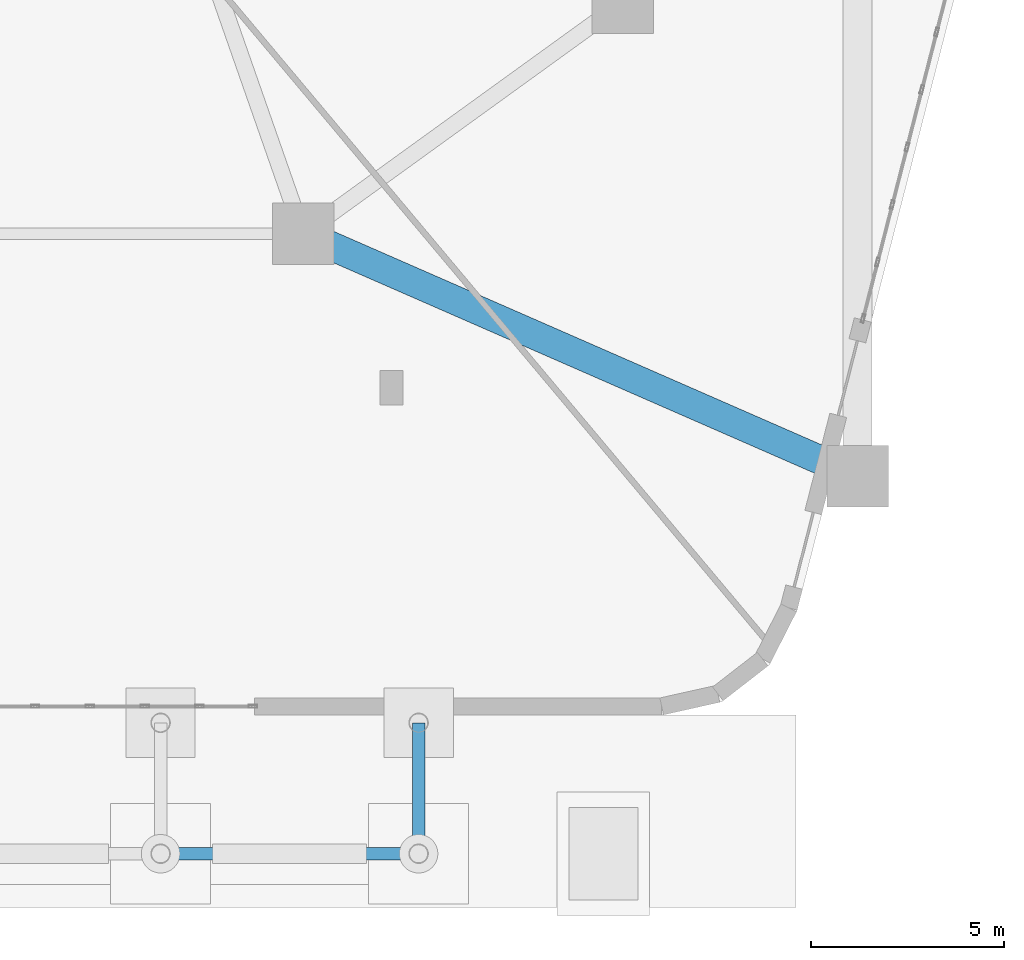
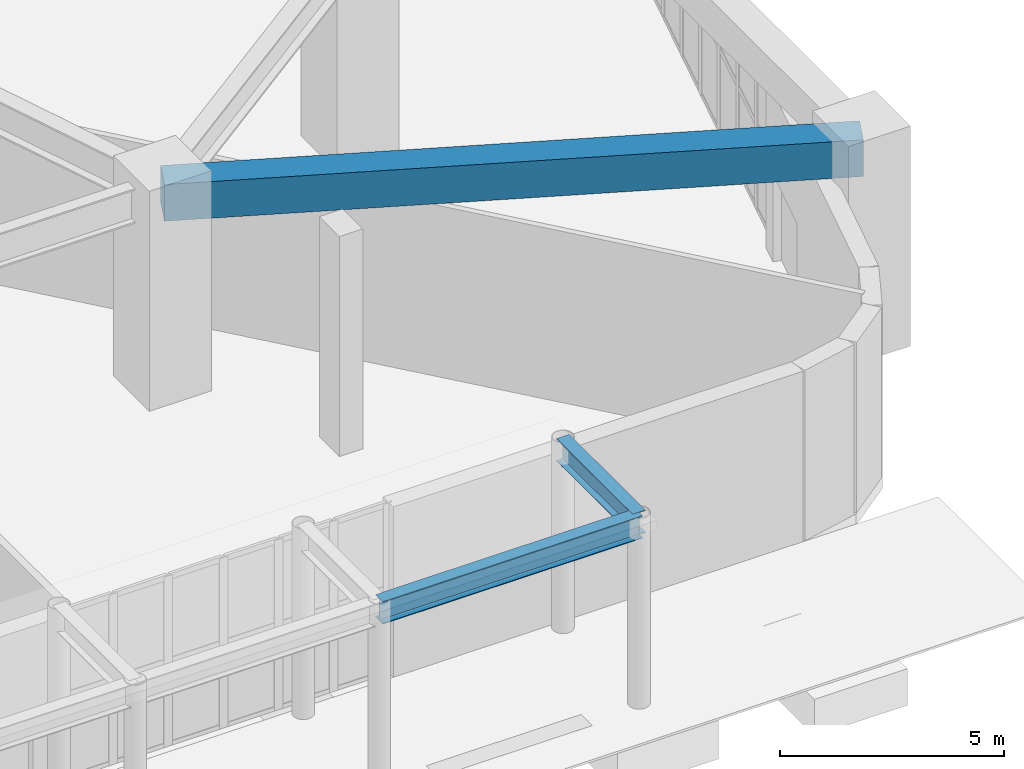
# One storey, part 10 of 35: 3 beams.
"""IFC4 building model written with IfcOpenShell, lengths in metres."""

from ifc_helpers import new_model, si_unit, direction, frame, origin, origin_2d, place, context, subcontext, project, spatial, rectangle, i_section, extrude, material, material_profile, profile_set, type_object, element, save


model = new_model("IFC4")

# Units and contexts
model_context = context("Model", 3, precision=1e-05, world=origin(), true_north=direction((0.0, 1.0)))
body_context = subcontext(model_context, "Body", "Model", "MODEL_VIEW")
ifc_project = project(units=[si_unit("LENGTHUNIT", "METRE"), si_unit("AREAUNIT", "SQUARE_METRE"), si_unit("VOLUMEUNIT", "CUBIC_METRE"), si_unit("PLANEANGLEUNIT", "RADIAN"), si_unit("MASSUNIT", "GRAM", prefix="KILO")], contexts=[model_context])

# Site, building, storey
site_placement = place(None, origin())
site = spatial("IfcSite", under=ifc_project, at=site_placement, CompositionType="ELEMENT")
building_placement = place(site_placement, origin())
building = spatial("IfcBuilding", under=site, at=building_placement, Name="Kilnhurst Terrace Hotel", CompositionType="ELEMENT")
storey_placement = place(building_placement, origin())
storey = spatial("IfcBuildingStorey", under=building, at=storey_placement, Name="L00", CompositionType="ELEMENT", Elevation=0.0)

# Beams
ifc_material_1 = material(Name="Steel ASTM A992 Grade 50", Category="steel")
ifc_material_profile_1 = material_profile(ifc_material_1, i_section(OverallWidth=0.3251953125, OverallDepth=0.6162109375, WebThickness=0.013916015625, FlangeThickness=0.021484375, at=origin_2d()), Name="W24X117")
ifc_profile_set_1 = profile_set([ifc_material_profile_1], Name="Steel ASTM A992 Grade 50")
beam_type_1 = type_object("IfcBeamType", Name="BM-STL-W24X117", PredefinedType="BEAM", material=ifc_profile_set_1)
beam_1_placement = place(storey_placement, frame((16.199951171875, -35.60009765625, 4.89208984375), z_axis=(0.0, 1.0, 0.0), x_axis=(-1.0, 0.0, 0.0)))
element("IfcBeam", 1, at=beam_1_placement, inside=storey, type_object=beam_type_1, Name="Porte Cochere Canopy Tie Beam 6", PredefinedType="BEAM", context=body_context, shape_type="SweptSolid", body=[
    extrude(i_section(OverallWidth=0.3251953125, OverallDepth=0.6162109375, WebThickness=0.013916015625, FlangeThickness=0.021484375, at=origin_2d()), origin(), (0.0, 0.0, 1.0), 3.400146484375),
])
beam_2_placement = place(storey_placement, frame((9.5, -35.60009765625, 4.89208984375), z_axis=(1.0, 0.0, 0.0), x_axis=(0.0, 1.0, 0.0)))
element("IfcBeam", 2, at=beam_2_placement, inside=storey, type_object=beam_type_1, Name="Porte Cochere Canopy Edge Beam 5", PredefinedType="BEAM", context=body_context, shape_type="SweptSolid", body=[
    extrude(i_section(OverallWidth=0.3251953125, OverallDepth=0.6162109375, WebThickness=0.013916015625, FlangeThickness=0.021484375, at=origin_2d()), origin(), (0.0, 0.0, 1.0), 6.699951171875),
])
ifc_material_2 = material(Name="Concrete C50/60", Category="concrete")
ifc_material_profile_2 = material_profile(ifc_material_2, rectangle(XDim=0.75, YDim=1.0, at=origin_2d()), Name="RC750X1000")
ifc_profile_set_2 = profile_set([ifc_material_profile_2], Name="Concrete C50/60")
beam_type_2 = type_object("IfcBeamType", Name="TBM-GAR-750X1000", PredefinedType="T_BEAM", material=ifc_profile_set_2)
beam_3_placement = place(storey_placement, frame((27.60009765625, -25.800048828125, 5.179931640625), z_axis=(-0.916157691387, 0.400818019196, 0.0), x_axis=(-0.400818019196, -0.916157691387, 0.0)))
element("IfcBeam", 3, at=beam_3_placement, inside=storey, type_object=beam_type_2, Name="L00 Outer Ring Tee Beam 10", PredefinedType="T_BEAM", context=body_context, shape_type="SweptSolid", body=[
    extrude(rectangle(XDim=0.75, YDim=1.0, at=origin_2d()), origin(), (0.0, 0.0, 1.0), 15.718017578125),
])

save(model, "model.ifc")
